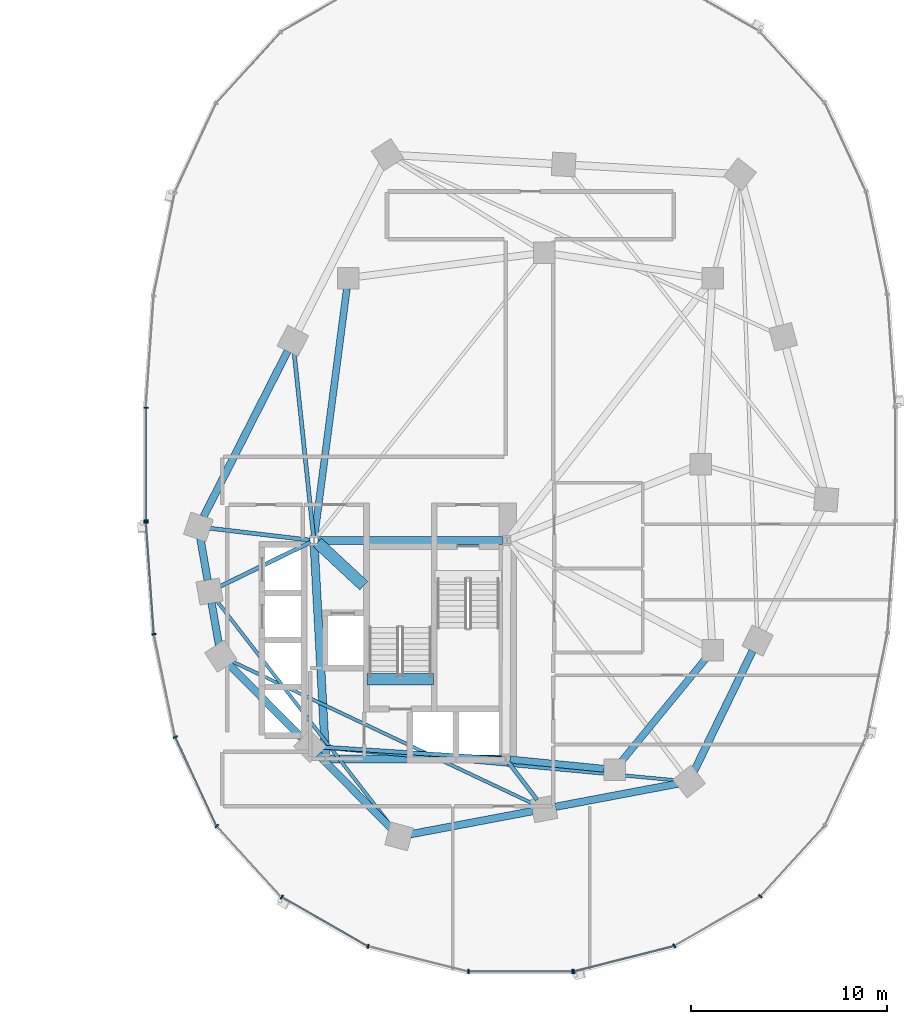
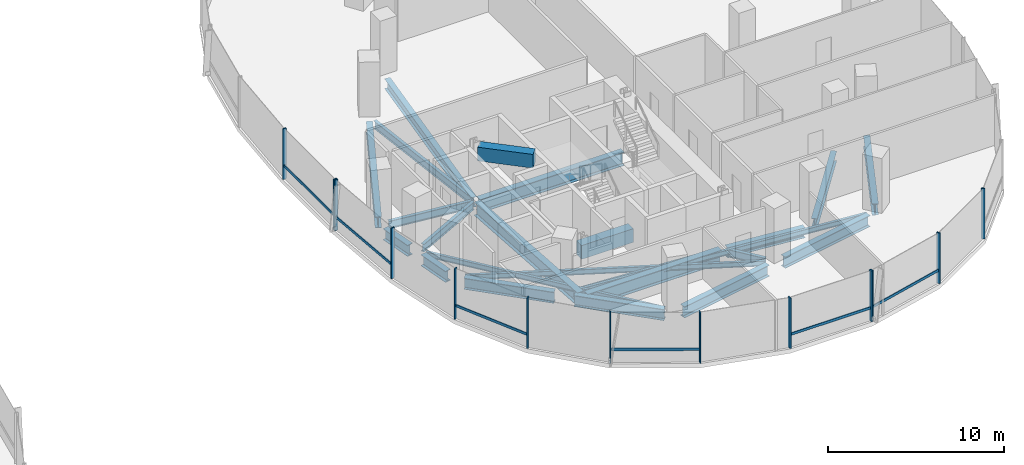
# One storey, part 5 of 21: 24 beams, 19 members, 3 elements without a shape of their own.
"""IFC4 building model written with IfcOpenShell, lengths in metres."""

from ifc_helpers import new_model, si_unit, direction, frame, origin, origin_2d, place, context, subcontext, project, spatial, rectangle, i_section, extrude, material, material_profile, profile_set, type_object, element, aggregate, save


model = new_model("IFC4")

# Units and contexts
model_context = context("Model", 3, precision=1e-05, world=origin(), true_north=direction((0.0, 1.0)))
body_context = subcontext(model_context, "Body", "Model", "MODEL_VIEW")
ifc_project = project(units=[si_unit("LENGTHUNIT", "METRE"), si_unit("AREAUNIT", "SQUARE_METRE"), si_unit("VOLUMEUNIT", "CUBIC_METRE"), si_unit("PLANEANGLEUNIT", "RADIAN"), si_unit("MASSUNIT", "GRAM", prefix="KILO"), si_unit("THERMODYNAMICTEMPERATUREUNIT", "KELVIN"), si_unit("POWERUNIT", "WATT")], contexts=[model_context])

# Site, building, storey
site_placement = place(None, origin())
site = spatial("IfcSite", under=ifc_project, at=site_placement, CompositionType="ELEMENT")
building_placement = place(site_placement, origin())
building = spatial("IfcBuilding", under=site, at=building_placement, Name="Cundina Bronze Exchange", CompositionType="ELEMENT")
storey_placement = place(building_placement, frame((0.0, 0.0, 27.800048828125)))
storey = spatial("IfcBuildingStorey", under=building, at=storey_placement, Name="L06", CompositionType="ELEMENT", Elevation=27.800048828125)

# Beams
ifc_material_1 = material(Name="Concrete C60/75", Category="concrete")
ifc_material_profile_1 = material_profile(ifc_material_1, rectangle(XDim=0.60009765625, YDim=0.949951171875, at=origin_2d()), Name="RC600X950", Category="concrete")
ifc_profile_set_1 = profile_set([ifc_material_profile_1], Name="Concrete C60/75")
beam_type_1 = type_object("IfcBeamType", Name="BM-COUP-RC950", PredefinedType="LINTEL", material=ifc_profile_set_1)
beam_1_placement = place(storey_placement, frame((24.159912109375, -10.97998046875, -0.47509765625), z_axis=(1.0, 0.0, 0.0), x_axis=(0.0, 1.0, 0.0)))
element("IfcBeam", 1, at=beam_1_placement, inside=storey, type_object=beam_type_1, Name="L06 Stair E2 Landing Header Beam", PredefinedType="LINTEL", context=body_context, shape_type="SweptSolid", body=[
    extrude(rectangle(XDim=0.60009765625, YDim=0.949951171875, at=origin_2d()), origin(), (0.0, 0.0, 1.0), 3.400146484375),
])
beam_2_placement = place(storey_placement, frame((21.6298828125, -4.0, 3.02490234375), z_axis=(0.731490439815, -0.681851696822, 0.0), x_axis=(0.681851696822, 0.731490439815, 0.0)))
element("IfcBeam", 2, at=beam_2_placement, inside=storey, type_object=beam_type_1, Name="L06 E Core Shear Coupling Lintel Beam", PredefinedType="LINTEL", context=body_context, shape_type="SweptSolid", body=[
    extrude(rectangle(XDim=0.60009765625, YDim=0.949951171875, at=origin_2d()), origin(), (0.0, 0.0, 1.0), 3.226318359375),
])
ifc_material_2 = material(Name="Steel ASTM A992 Grade 50", Category="steel")
ifc_material_profile_2 = material_profile(ifc_material_2, i_section(OverallWidth=0.2099609375, OverallDepth=0.532958984375, WebThickness=0.01025390625, FlangeThickness=0.015625, FilletRadius=0.013916015625, at=origin_2d()), Name="W21X62", Category="steel")
ifc_profile_set_2 = profile_set([ifc_material_profile_2], Name="Steel ASTM A992 Grade 50")
beam_type_2 = type_object("IfcBeamType", Name="BM-FLR-W21B", PredefinedType="BEAM", material=ifc_profile_set_2)
beam_3_placement = place(storey_placement, frame((21.247314453125, -3.8759765625, -0.566650390625), z_axis=(-0.993035236117, 0.117817739878, 0.0), x_axis=(-0.117817739878, -0.993035236117, 0.0)))
element("IfcBeam", 3, at=beam_3_placement, inside=storey, type_object=beam_type_2, Name="L06 Leg E Chordal Floor Beam 00", PredefinedType="BEAM", context=body_context, shape_type="SweptSolid", body=[
    extrude(i_section(OverallWidth=0.2099609375, OverallDepth=0.532958984375, WebThickness=0.01025390625, FlangeThickness=0.015625, FilletRadius=0.013916015625, at=origin_2d()), origin(), (0.0, 0.0, 1.0), 5.1494140625),
])
beam_4_placement = place(storey_placement, frame((21.2666015625, -3.989501953125, -0.566650390625), z_axis=(-0.898610249448, -0.438747785849, 0.0), x_axis=(0.438747785849, -0.898610249448, 0.0)))
element("IfcBeam", 4, at=beam_4_placement, inside=storey, type_object=beam_type_2, Name="L06 Leg E Chordal Floor Beam 01", PredefinedType="BEAM", context=body_context, shape_type="SweptSolid", body=[
    extrude(i_section(OverallWidth=0.2099609375, OverallDepth=0.532958984375, WebThickness=0.01025390625, FlangeThickness=0.015625, FilletRadius=0.013916015625, at=origin_2d()), origin(), (0.0, 0.0, 1.0), 5.1337890625),
])
beam_5_placement = place(storey_placement, frame((31.04638671875, -15.036865234375, -0.566650390625), z_axis=(-0.99789233798, 0.064891307594, 0.0), x_axis=(-0.064891307594, -0.99789233798, 0.0)))
element("IfcBeam", 5, at=beam_5_placement, inside=storey, type_object=beam_type_2, Name="L06 Leg E Chordal Floor Beam 03", PredefinedType="BEAM", context=body_context, shape_type="SweptSolid", body=[
    extrude(i_section(OverallWidth=0.2099609375, OverallDepth=0.532958984375, WebThickness=0.01025390625, FlangeThickness=0.015625, FilletRadius=0.013916015625, at=origin_2d()), origin(), (0.0, 0.0, 1.0), 9.22900390625),
])
beam_6_placement = place(storey_placement, frame((31.373779296875, -15.2119140625, -0.566650390625), z_axis=(0.607468844289, -0.794343504548, 0.0), x_axis=(0.794343504548, 0.607468844289, 0.0)))
element("IfcBeam", 6, at=beam_6_placement, inside=storey, type_object=beam_type_2, Name="L06 Leg E Chordal Floor Beam 05", PredefinedType="BEAM", context=body_context, shape_type="SweptSolid", body=[
    extrude(i_section(OverallWidth=0.2099609375, OverallDepth=0.532958984375, WebThickness=0.01025390625, FlangeThickness=0.015625, FilletRadius=0.013916015625, at=origin_2d()), origin(), (0.0, 0.0, 1.0), 2.418212890625),
])
beam_7_placement = place(storey_placement, frame((21.4287109375, -3.697021484375, -0.566650390625), z_axis=(-0.10483517787, 0.994489610544, 0.0), x_axis=(-0.994489610544, -0.10483517787, 0.0)))
element("IfcBeam", 7, at=beam_7_placement, inside=storey, type_object=beam_type_2, Name="L06 Leg E Chordal Floor Beam 13", PredefinedType="BEAM", context=body_context, shape_type="SweptSolid", body=[
    extrude(i_section(OverallWidth=0.2099609375, OverallDepth=0.532958984375, WebThickness=0.01025390625, FlangeThickness=0.015625, FilletRadius=0.013916015625, at=origin_2d()), origin(), (0.0, 0.0, 1.0), 9.46435546875),
])
ifc_material_profile_3 = material_profile(ifc_material_2, i_section(OverallWidth=0.172119140625, OverallDepth=0.35791015625, WebThickness=0.0078125, FlangeThickness=0.01318359375, FilletRadius=0.010009765625, at=origin_2d()), Name="W14X38", Category="steel")
ifc_profile_set_3 = profile_set([ifc_material_profile_3], Name="Steel ASTM A992 Grade 50")
beam_type_3 = type_object("IfcBeamType", Name="BM-JST-W14", PredefinedType="JOIST", material=ifc_profile_set_3)
beam_8_placement = place(storey_placement, frame((16.48486328125, -6.965087890625, -0.47900390625), z_axis=(0.612089386305, -0.790788583108, 0.0), x_axis=(0.790788583108, 0.612089386305, 0.0)))
element("IfcBeam", 8, at=beam_8_placement, inside=storey, type_object=beam_type_3, Name="L06 Leg E Lobe Floor Joist 01-04", PredefinedType="JOIST", context=body_context, shape_type="SweptSolid", body=[
    extrude(i_section(OverallWidth=0.172119140625, OverallDepth=0.35791015625, WebThickness=0.0078125, FlangeThickness=0.01318359375, FilletRadius=0.010009765625, at=origin_2d()), origin(), (0.0, 0.0, 1.0), 14.630859375),
])
beam_9_placement = place(storey_placement, frame((17.231689453125, -10.05126953125, -0.47900390625), z_axis=(0.904072668297, -0.427378766949, 0.0), x_axis=(0.427378766949, 0.904072668297, 0.0)))
element("IfcBeam", 9, at=beam_9_placement, inside=storey, type_object=beam_type_3, Name="L06 Leg E Lobe Floor Joist 02-05", PredefinedType="JOIST", context=body_context, shape_type="SweptSolid", body=[
    extrude(i_section(OverallWidth=0.172119140625, OverallDepth=0.35791015625, WebThickness=0.0078125, FlangeThickness=0.01318359375, FilletRadius=0.010009765625, at=origin_2d()), origin(), (0.0, 0.0, 1.0), 17.07470703125),
])
beam_10_placement = place(storey_placement, frame((21.83544921875, -14.45458984375, -0.47900390625), z_axis=(0.995701961644, -0.09261535282, 0.0), x_axis=(0.09261535282, 0.995701961644, 0.0)))
element("IfcBeam", 10, at=beam_10_placement, inside=storey, type_object=beam_type_3, Name="L06 Leg E Lobe Floor Joist 03-06", PredefinedType="JOIST", context=body_context, shape_type="SweptSolid", body=[
    extrude(i_section(OverallWidth=0.172119140625, OverallDepth=0.35791015625, WebThickness=0.0078125, FlangeThickness=0.01318359375, FilletRadius=0.010009765625, at=origin_2d()), origin(), (0.0, 0.0, 1.0), 18.25732421875),
])
ifc_material_profile_4 = material_profile(ifc_material_2, i_section(OverallWidth=0.35498046875, OverallDepth=0.695068359375, WebThickness=0.015380859375, FlangeThickness=0.02490234375, FilletRadius=0.01806640625, at=origin_2d()), Name="W27X146", Category="steel")
ifc_profile_set_4 = profile_set([ifc_material_profile_4], Name="Steel ASTM A992 Grade 50")
beam_type_4 = type_object("IfcBeamType", Name="BM-RING-W27", PredefinedType="USERDEFINED", material=ifc_profile_set_4)
beam_11_placement = place(storey_placement, frame((31.452880859375, -15.070068359375, -0.6474609375), z_axis=(0.995126271817, -0.098608839051, 0.0), x_axis=(0.098608839051, 0.995126271817, 0.0)))
element("IfcBeam", 11, at=beam_11_placement, inside=storey, type_object=beam_type_4, Name="L06 E Inner Structural Ring Girder 01", ObjectType="GIRDER", PredefinedType="USERDEFINED", context=body_context, shape_type="SweptSolid", body=[
    extrude(i_section(OverallWidth=0.35498046875, OverallDepth=0.695068359375, WebThickness=0.015380859375, FlangeThickness=0.02490234375, FilletRadius=0.01806640625, at=origin_2d()), origin(), (0.0, 0.0, 1.0), 4.83544921875),
])
beam_12_placement = place(storey_placement, frame((37.14111328125, -15.183837890625, -0.6474609375), z_axis=(0.633926549035, 0.773393257295, 0.0), x_axis=(-0.773393257295, 0.633926549035, 0.0)))
element("IfcBeam", 12, at=beam_12_placement, inside=storey, type_object=beam_type_4, Name="L06 E Inner Structural Ring Girder 02", ObjectType="GIRDER", PredefinedType="USERDEFINED", context=body_context, shape_type="SweptSolid", body=[
    extrude(i_section(OverallWidth=0.35498046875, OverallDepth=0.695068359375, WebThickness=0.015380859375, FlangeThickness=0.02490234375, FilletRadius=0.01806640625, at=origin_2d()), origin(), (0.0, 0.0, 1.0), 6.811279296875),
])
beam_13_placement = place(storey_placement, frame((23.13037109375, 8.966552734375, -0.6474609375), z_axis=(-0.129507526533, -0.99157843894, 0.0), x_axis=(0.99157843894, -0.129507526533, 0.0)))
element("IfcBeam", 13, at=beam_13_placement, inside=storey, type_object=beam_type_4, Name="L06 E Inner Structural Ring Girder 07", ObjectType="GIRDER", PredefinedType="USERDEFINED", context=body_context, shape_type="SweptSolid", body=[
    extrude(i_section(OverallWidth=0.35498046875, OverallDepth=0.695068359375, WebThickness=0.015380859375, FlangeThickness=0.02490234375, FilletRadius=0.01806640625, at=origin_2d()), origin(), (0.0, 0.0, 1.0), 12.77197265625),
])
ifc_material_profile_5 = material_profile(ifc_material_2, i_section(OverallWidth=0.381103515625, OverallDepth=0.77294921875, WebThickness=0.0166015625, FlangeThickness=0.027099609375, FilletRadius=0.01904296875, at=origin_2d()), Name="W30X173", Category="steel")
ifc_profile_set_5 = profile_set([ifc_material_profile_5], Name="Steel ASTM A992 Grade 50")
beam_type_5 = type_object("IfcBeamType", Name="BM-RING-W30", PredefinedType="USERDEFINED", material=ifc_profile_set_5)
for number, where, z_axis, x_axis, name in (
    (14, (15.65087890625, -3.779296875, -0.6865234375), (0.171734584051, -0.985143254883, 0.0), (0.985143254883, 0.171734584051, 0.0), "L06 E Perimeter Ring Girder 00"),
    (15, (16.225830078125, -7.079345703125, -0.6865234375), (0.171734584051, -0.985143254883, 0.0), (0.985143254883, 0.171734584051, 0.0), "L06 E Perimeter Ring Girder 01"),
):
    element("IfcBeam", number, at=place(storey_placement, frame(where, z_axis=z_axis, x_axis=x_axis)), inside=storey, type_object=beam_type_5, Name=name, ObjectType="GIRDER", PredefinedType="USERDEFINED", context=body_context, shape_type="SweptSolid", body=[
        extrude(i_section(OverallWidth=0.381103515625, OverallDepth=0.77294921875, WebThickness=0.0166015625, FlangeThickness=0.027099609375, FilletRadius=0.01904296875, at=origin_2d()), origin(), (0.0, 0.0, 1.0), 2.173583984375),
    ])
for number, where, z_axis, x_axis, name in (
    (16, (17.113525390625, -10.218017578125, -0.6865234375), (0.703222428859, -0.710969911845, 0.0), (0.710969911845, 0.703222428859, 0.0), "L06 E Perimeter Ring Girder 02"),
    (17, (21.66357421875, -14.818115234375, -0.6865234375), (0.703222428859, -0.710969911845, 0.0), (0.710969911845, 0.703222428859, 0.0), "L06 E Perimeter Ring Girder 03"),
):
    element("IfcBeam", number, at=place(storey_placement, frame(where, z_axis=z_axis, x_axis=x_axis)), inside=storey, type_object=beam_type_5, Name=name, ObjectType="GIRDER", PredefinedType="USERDEFINED", context=body_context, shape_type="SweptSolid", body=[
        extrude(i_section(OverallWidth=0.381103515625, OverallDepth=0.77294921875, WebThickness=0.0166015625, FlangeThickness=0.027099609375, FilletRadius=0.01904296875, at=origin_2d()), origin(), (0.0, 0.0, 1.0), 5.2939453125),
    ])
beam_14_placement = place(storey_placement, frame((26.377685546875, -18.890625, -0.6865234375), z_axis=(0.982570814598, 0.185888661031, 0.0), x_axis=(-0.185888661031, 0.982570814598, 0.0)))
element("IfcBeam", 18, at=beam_14_placement, inside=storey, type_object=beam_type_5, Name="L06 E Perimeter Ring Girder 04", ObjectType="GIRDER", PredefinedType="USERDEFINED", context=body_context, shape_type="SweptSolid", body=[
    extrude(i_section(OverallWidth=0.381103515625, OverallDepth=0.77294921875, WebThickness=0.0166015625, FlangeThickness=0.027099609375, FilletRadius=0.01904296875, at=origin_2d()), origin(), (0.0, 0.0, 1.0), 6.35546875),
])
beam_15_placement = place(storey_placement, frame((33.77783203125, -17.49072265625, -0.6865234375), z_axis=(0.982569487119, 0.185895677686, 0.0), x_axis=(-0.185895677686, 0.982569487119, 0.0)))
element("IfcBeam", 19, at=beam_15_placement, inside=storey, type_object=beam_type_5, Name="L06 E Perimeter Ring Girder 05", ObjectType="GIRDER", PredefinedType="USERDEFINED", context=body_context, shape_type="SweptSolid", body=[
    extrude(i_section(OverallWidth=0.381103515625, OverallDepth=0.77294921875, WebThickness=0.0166015625, FlangeThickness=0.027099609375, FilletRadius=0.01904296875, at=origin_2d()), origin(), (0.0, 0.0, 1.0), 6.355224609375),
])
beam_16_placement = place(storey_placement, frame((40.857177734375, -15.671142578125, -0.6865234375), z_axis=(0.437190698904, 0.899368830231, 0.0), x_axis=(-0.899368830231, 0.437190698904, 0.0)))
element("IfcBeam", 20, at=beam_16_placement, inside=storey, type_object=beam_type_5, Name="L06 E Perimeter Ring Girder 06", ObjectType="GIRDER", PredefinedType="USERDEFINED", context=body_context, shape_type="SweptSolid", body=[
    extrude(i_section(OverallWidth=0.381103515625, OverallDepth=0.77294921875, WebThickness=0.0166015625, FlangeThickness=0.027099609375, FilletRadius=0.01904296875, at=origin_2d()), origin(), (0.0, 0.0, 1.0), 6.82958984375),
])
beam_17_placement = place(storey_placement, frame((20.108642578125, 5.775634765625, -0.6865234375), z_axis=(-0.452819633606, -0.891602141889, 0.0), x_axis=(0.891602141889, -0.452819633606, 0.0)))
element("IfcBeam", 21, at=beam_17_placement, inside=storey, type_object=beam_type_5, Name="L06 E Perimeter Ring Girder 13", ObjectType="GIRDER", PredefinedType="USERDEFINED", context=body_context, shape_type="SweptSolid", body=[
    extrude(i_section(OverallWidth=0.381103515625, OverallDepth=0.77294921875, WebThickness=0.0166015625, FlangeThickness=0.027099609375, FilletRadius=0.01904296875, at=origin_2d()), origin(), (0.0, 0.0, 1.0), 9.47900390625),
])
ifc_material_profile_6 = material_profile(ifc_material_2, i_section(OverallWidth=0.41796875, OverallDepth=0.927001953125, WebThickness=0.019287109375, FlangeThickness=0.031982421875, FilletRadius=0.02392578125, at=origin_2d()), Name="W36X231", Category="steel")
ifc_profile_set_6 = profile_set([ifc_material_profile_6], Name="Steel ASTM A992 Grade 50")
beam_type_6 = type_object("IfcBeamType", Name="BM-WRN-W36B", PredefinedType="USERDEFINED", material=ifc_profile_set_6)
beam_18_placement = place(storey_placement, frame((31.095947265625, -3.89990234375, -0.763427734375), z_axis=(-1.0, 0.0, 0.0), x_axis=(0.0, -1.0, 0.0)))
element("IfcBeam", 22, at=beam_18_placement, inside=storey, type_object=beam_type_6, Name="L06 E Core Perimeter Tie Girder 1", ObjectType="GIRDER", PredefinedType="USERDEFINED", context=body_context, shape_type="SweptSolid", body=[
    extrude(i_section(OverallWidth=0.41796875, OverallDepth=0.927001953125, WebThickness=0.019287109375, FlangeThickness=0.031982421875, FilletRadius=0.02392578125, at=origin_2d()), origin(), (0.0, 0.0, 1.0), 9.44189453125),
])
beam_19_placement = place(storey_placement, frame((21.4609375, -4.103759765625, -0.763427734375), z_axis=(0.053739193498, -0.998555005537, 0.0), x_axis=(0.998555005537, 0.053739193498, 0.0)))
element("IfcBeam", 23, at=beam_19_placement, inside=storey, type_object=beam_type_6, Name="L06 E Core Perimeter Tie Girder 2", ObjectType="GIRDER", PredefinedType="USERDEFINED", context=body_context, shape_type="SweptSolid", body=[
    extrude(i_section(OverallWidth=0.41796875, OverallDepth=0.927001953125, WebThickness=0.019287109375, FlangeThickness=0.031982421875, FilletRadius=0.02392578125, at=origin_2d()), origin(), (0.0, 0.0, 1.0), 10.758056640625),
])
beam_20_placement = place(storey_placement, frame((22.25390625, -15.050048828125, -0.763427734375), z_axis=(1.0, 0.0, 0.0), x_axis=(0.0, 1.0, 0.0)))
element("IfcBeam", 24, at=beam_20_placement, inside=storey, type_object=beam_type_6, Name="L06 E Core Perimeter Tie Girder 3", ObjectType="GIRDER", PredefinedType="USERDEFINED", context=body_context, shape_type="SweptSolid", body=[
    extrude(i_section(OverallWidth=0.41796875, OverallDepth=0.927001953125, WebThickness=0.019287109375, FlangeThickness=0.031982421875, FilletRadius=0.02392578125, at=origin_2d()), origin(), (0.0, 0.0, 1.0), 8.7919921875),
])

# Curtain wall, members
ifc_material_3 = material(Name="Anodised Bronze Aluminium 6063-T6", Category="aluminium")
curtain_wall_type = type_object("IfcCurtainWallType", Name="CWS-TRD-LOW", PredefinedType="NOTDEFINED", material=ifc_material_3)
curtain_wall_1_placement = place(storey_placement, origin())
curtain_wall_1 = element("IfcCurtainWall", 25, at=curtain_wall_1_placement, inside=storey, type_object=curtain_wall_type, Name="L06 CW-02 Curtain Wall Run CWR-L06-E2", PredefinedType="NOTDEFINED")
ifc_material_profile_7 = material_profile(ifc_material_3, rectangle(XDim=0.074951171875, YDim=0.219970703125, at=origin_2d()), Name="AL75X220", Category="aluminium")
ifc_profile_set_7 = profile_set([ifc_material_profile_7], Name="Anodised Bronze Aluminium 6063-T6")
member_type_1 = type_object("IfcMemberType", Name="CWM-MUL-220", PredefinedType="MULLION", material=ifc_profile_set_7)
member_1_placement = place(storey_placement, frame((12.8720703125, 2.880615234375, 0.0), z_axis=(0.0, 0.0, 1.0), x_axis=(0.0, -1.0, 0.0)))
member_1 = element("IfcMember", 26, at=member_1_placement, type_object=member_type_1, Name="CW-02 Mullion 7", PredefinedType="MULLION", context=body_context, shape_type="SweptSolid", body=[
    extrude(rectangle(XDim=0.074951171875, YDim=0.219970703125, at=origin_2d()), origin(), (0.0, 0.0, 1.0), 3.5),
])
member_2_placement = place(storey_placement, frame((12.8720703125, -2.880615234375, 0.0), z_axis=(0.0, 0.0, 1.0), x_axis=(0.0, -1.0, 0.0)))
member_2 = element("IfcMember", 27, at=member_2_placement, type_object=member_type_1, Name="CW-02 End Mullion", PredefinedType="MULLION", context=body_context, shape_type="SweptSolid", body=[
    extrude(rectangle(XDim=0.074951171875, YDim=0.219970703125, at=origin_2d()), origin(), (0.0, 0.0, 1.0), 3.5),
])

curtain_wall_2_placement = place(storey_placement, origin())
curtain_wall_2 = element("IfcCurtainWall", 28, at=curtain_wall_2_placement, inside=storey, type_object=curtain_wall_type, Name="L06 CW-02 Curtain Wall Run CWR-L06-E3", PredefinedType="NOTDEFINED")
member_3_placement = place(storey_placement, frame((12.87548828125, -2.976318359375, 0.0), z_axis=(0.0, 0.0, 1.0), x_axis=(0.070278787473, -0.997527389113, 0.0)))
member_3 = element("IfcMember", 29, at=member_3_placement, type_object=member_type_1, Name="CW-02 Mullion 1", PredefinedType="MULLION", context=body_context, shape_type="SweptSolid", body=[
    extrude(rectangle(XDim=0.074951171875, YDim=0.219970703125, at=origin_2d()), origin(), (0.0, 0.0, 1.0), 3.5),
])
member_4_placement = place(storey_placement, frame((13.282958984375, -8.67822265625, 0.0), z_axis=(0.0, 0.0, 1.0), x_axis=(0.201419845156, -0.979505000486, 0.0)))
member_4 = element("IfcMember", 30, at=member_4_placement, type_object=member_type_1, Name="CW-02 Mullion 2", PredefinedType="MULLION", context=body_context, shape_type="SweptSolid", body=[
    extrude(rectangle(XDim=0.074951171875, YDim=0.219970703125, at=origin_2d()), origin(), (0.0, 0.0, 1.0), 3.5),
])
member_5_placement = place(storey_placement, frame((14.3720703125, -13.931884765625, 0.0), z_axis=(0.0, 0.0, 1.0), x_axis=(0.42087749791, -0.907117485088, 0.0)))
member_5 = element("IfcMember", 31, at=member_5_placement, type_object=member_type_1, Name="CW-02 Mullion 3", PredefinedType="MULLION", context=body_context, shape_type="SweptSolid", body=[
    extrude(rectangle(XDim=0.074951171875, YDim=0.219970703125, at=origin_2d()), origin(), (0.0, 0.0, 1.0), 3.5),
])
member_6_placement = place(storey_placement, frame((16.491455078125, -18.47705078125, 0.0), z_axis=(0.0, 0.0, 1.0), x_axis=(0.674302387584, -0.738455340626, 0.0)))
member_6 = element("IfcMember", 32, at=member_6_placement, type_object=member_type_1, Name="CW-02 Mullion 4", PredefinedType="MULLION", context=body_context, shape_type="SweptSolid", body=[
    extrude(rectangle(XDim=0.074951171875, YDim=0.219970703125, at=origin_2d()), origin(), (0.0, 0.0, 1.0), 3.5),
])
member_7_placement = place(storey_placement, frame((19.810302734375, -22.097412109375, 0.0), z_axis=(0.0, 0.0, 1.0), x_axis=(0.867070701164, -0.498185105339, 0.0)))
member_7 = element("IfcMember", 33, at=member_7_placement, type_object=member_type_1, Name="CW-02 Mullion 5", PredefinedType="MULLION", context=body_context, shape_type="SweptSolid", body=[
    extrude(rectangle(XDim=0.074951171875, YDim=0.219970703125, at=origin_2d()), origin(), (0.0, 0.0, 1.0), 3.5),
])
member_8_placement = place(storey_placement, frame((24.21484375, -24.61669921875, 0.0), z_axis=(0.0, 0.0, 1.0), x_axis=(0.969488149345, -0.245138182011, 0.0)))
member_8 = element("IfcMember", 34, at=member_8_placement, type_object=member_type_1, Name="CW-02 Mullion 6", PredefinedType="MULLION", context=body_context, shape_type="SweptSolid", body=[
    extrude(rectangle(XDim=0.074951171875, YDim=0.219970703125, at=origin_2d()), origin(), (0.0, 0.0, 1.0), 3.5),
])
member_9_placement = place(storey_placement, frame((29.345458984375, -25.905029296875, 0.0), z_axis=(0.0, 0.0, 1.0), x_axis=(1.0, 0.0, 0.0)))
member_9 = element("IfcMember", 35, at=member_9_placement, type_object=member_type_1, Name="CW-02 Mullion 7", PredefinedType="MULLION", context=body_context, shape_type="SweptSolid", body=[
    extrude(rectangle(XDim=0.074951171875, YDim=0.219970703125, at=origin_2d()), origin(), (0.0, 0.0, 1.0), 3.5),
])
member_10_placement = place(storey_placement, frame((34.654541015625, -25.905029296875, 0.0), z_axis=(0.0, 0.0, 1.0), x_axis=(1.0, 0.0, 0.0)))
member_10 = element("IfcMember", 36, at=member_10_placement, type_object=member_type_1, Name="CW-02 End Mullion", PredefinedType="MULLION", context=body_context, shape_type="SweptSolid", body=[
    extrude(rectangle(XDim=0.074951171875, YDim=0.219970703125, at=origin_2d()), origin(), (0.0, 0.0, 1.0), 3.5),
])

curtain_wall_3_placement = place(storey_placement, origin())
curtain_wall_3 = element("IfcCurtainWall", 37, at=curtain_wall_3_placement, inside=storey, type_object=curtain_wall_type, Name="L06 CW-02 Curtain Wall Run CWR-L06-E4", PredefinedType="NOTDEFINED")
member_11_placement = place(storey_placement, frame((34.72607421875, -25.89599609375, 0.0), z_axis=(0.0, 0.0, 1.0), x_axis=(0.969488149345, 0.245138182011, 0.0)))
member_11 = element("IfcMember", 38, at=member_11_placement, type_object=member_type_1, Name="CW-02 Mullion 1", PredefinedType="MULLION", context=body_context, shape_type="SweptSolid", body=[
    extrude(rectangle(XDim=0.074951171875, YDim=0.219970703125, at=origin_2d()), origin(), (0.0, 0.0, 1.0), 3.5),
])
member_12_placement = place(storey_placement, frame((39.848876953125, -24.591064453125, 0.0), z_axis=(0.0, 0.0, 1.0), x_axis=(0.867070701164, 0.498185105339, 0.0)))
member_12 = element("IfcMember", 39, at=member_12_placement, type_object=member_type_1, Name="CW-02 Mullion 2", PredefinedType="MULLION", context=body_context, shape_type="SweptSolid", body=[
    extrude(rectangle(XDim=0.074951171875, YDim=0.219970703125, at=origin_2d()), origin(), (0.0, 0.0, 1.0), 3.5),
])
member_13_placement = place(storey_placement, frame((44.239501953125, -22.0576171875, 0.0), z_axis=(0.0, 0.0, 1.0), x_axis=(0.674302387584, 0.738455340626, 0.0)))
member_13 = element("IfcMember", 40, at=member_13_placement, type_object=member_type_1, Name="CW-02 Mullion 3", PredefinedType="MULLION", context=body_context, shape_type="SweptSolid", body=[
    extrude(rectangle(XDim=0.074951171875, YDim=0.219970703125, at=origin_2d()), origin(), (0.0, 0.0, 1.0), 3.5),
])

# Member
ifc_material_profile_8 = material_profile(ifc_material_3, rectangle(XDim=0.070068359375, YDim=0.179931640625, at=origin_2d()), Name="AL70X180", Category="aluminium")
ifc_profile_set_8 = profile_set([ifc_material_profile_8], Name="Anodised Bronze Aluminium 6063-T6")
member_type_2 = type_object("IfcMemberType", Name="CWM-TRN-180", PredefinedType="USERDEFINED", material=ifc_profile_set_8)
member_14_placement = place(storey_placement, frame((12.8720703125, 2.839111328125, 0.919921875), z_axis=(0.0, -1.0, 0.0), x_axis=(1.0, 0.0, 0.0)))
member_14 = element("IfcMember", 41, at=member_14_placement, type_object=member_type_2, Name="CW-02 Spandrel Transom 7", ObjectType="TRANSOM", PredefinedType="USERDEFINED", context=body_context, shape_type="SweptSolid", body=[
    extrude(rectangle(XDim=0.070068359375, YDim=0.179931640625, at=origin_2d()), origin(), (0.0, 0.0, 1.0), 5.67822265625),
])

aggregate(curtain_wall_1, [member_1, member_2, member_14])

member_15_placement = place(storey_placement, frame((12.87841796875, -3.017333984375, 0.919921875), z_axis=(0.070260714471, -0.997528662246, 0.0), x_axis=(0.997528662246, 0.070260714471, 0.0)))
member_15 = element("IfcMember", 42, at=member_15_placement, type_object=member_type_2, Name="CW-02 Spandrel Transom 1", ObjectType="TRANSOM", PredefinedType="USERDEFINED", context=body_context, shape_type="SweptSolid", body=[
    extrude(rectangle(XDim=0.070068359375, YDim=0.179931640625, at=origin_2d()), origin(), (0.0, 0.0, 1.0), 5.629150390625),
])

member_16_placement = place(storey_placement, frame((14.389404296875, -13.96923828125, 0.919921875), z_axis=(0.420811422796, -0.907148139195, 0.0), x_axis=(0.907148139195, 0.420811422796, 0.0)))
member_16 = element("IfcMember", 43, at=member_16_placement, type_object=member_type_2, Name="CW-02 Spandrel Transom 3", ObjectType="TRANSOM", PredefinedType="USERDEFINED", context=body_context, shape_type="SweptSolid", body=[
    extrude(rectangle(XDim=0.070068359375, YDim=0.179931640625, at=origin_2d()), origin(), (0.0, 0.0, 1.0), 4.95166015625),
])

member_17_placement = place(storey_placement, frame((19.845947265625, -22.117919921875, 0.919921875), z_axis=(0.867097475651, -0.498138502546, 0.0), x_axis=(0.498138502546, 0.867097475651, 0.0)))
member_17 = element("IfcMember", 44, at=member_17_placement, type_object=member_type_2, Name="CW-02 Spandrel Transom 5", ObjectType="TRANSOM", PredefinedType="USERDEFINED", context=body_context, shape_type="SweptSolid", body=[
    extrude(rectangle(XDim=0.070068359375, YDim=0.179931640625, at=origin_2d()), origin(), (0.0, 0.0, 1.0), 5.00634765625),
])

member_18_placement = place(storey_placement, frame((29.38671875, -25.905029296875, 0.919921875), z_axis=(1.0, 0.0, 0.0), x_axis=(0.0, 1.0, 0.0)))
member_18 = element("IfcMember", 45, at=member_18_placement, type_object=member_type_2, Name="CW-02 Spandrel Transom 7", ObjectType="TRANSOM", PredefinedType="USERDEFINED", context=body_context, shape_type="SweptSolid", body=[
    extrude(rectangle(XDim=0.070068359375, YDim=0.179931640625, at=origin_2d()), origin(), (0.0, 0.0, 1.0), 5.2265625),
])

aggregate(curtain_wall_2, [member_3, member_15, member_4, member_5, member_16, member_6, member_7, member_17, member_8, member_9, member_10, member_18])

member_19_placement = place(storey_placement, frame((34.76611328125, -25.885986328125, 0.919921875), z_axis=(0.969483968866, 0.245154714644, 0.0), x_axis=(-0.245154714644, 0.969483968866, 0.0)))
member_19 = element("IfcMember", 46, at=member_19_placement, type_object=member_type_2, Name="CW-02 Spandrel Transom 1", ObjectType="TRANSOM", PredefinedType="USERDEFINED", context=body_context, shape_type="SweptSolid", body=[
    extrude(rectangle(XDim=0.070068359375, YDim=0.179931640625, at=origin_2d()), origin(), (0.0, 0.0, 1.0), 5.21826171875),
])

aggregate(curtain_wall_3, [member_11, member_19, member_12, member_13])

save(model, "model.ifc")
